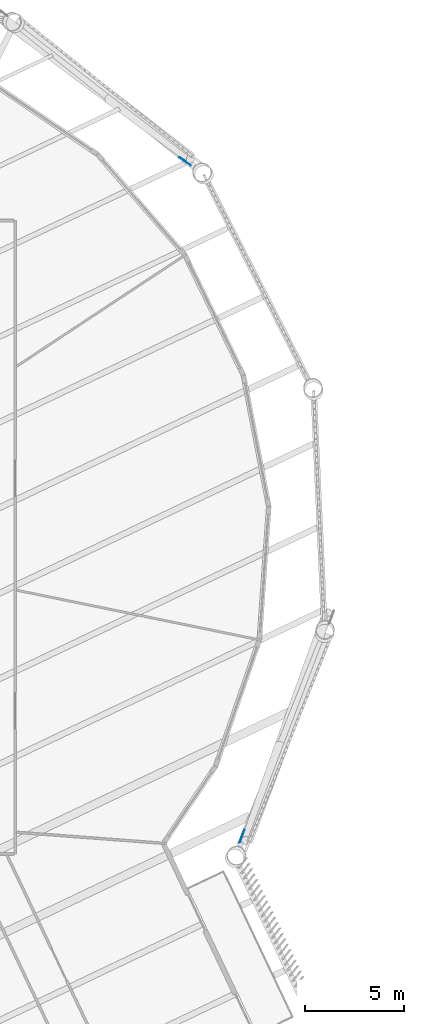
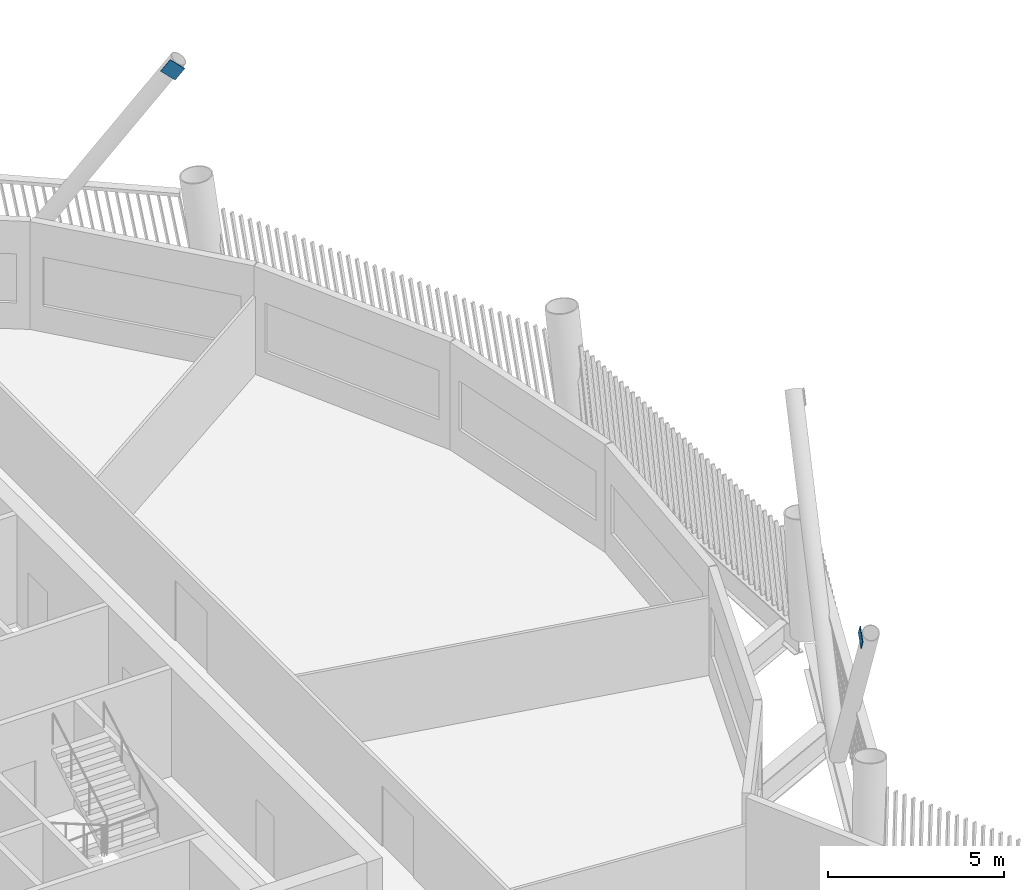
# One storey, part 12 of 21: 2 discrete accessories.
"""IFC4 building model written with IfcOpenShell, lengths in metres."""

from ifc_helpers import new_model, si_unit, direction, frame, origin, origin_2d, place, context, subcontext, project, spatial, rectangle, extrude, material, material_profile, profile_set, type_object, element, save


model = new_model("IFC4")

# Units and contexts
model_context = context("Model", 3, precision=1e-05, world=origin(), true_north=direction((0.0, 1.0)))
body_context = subcontext(model_context, "Body", "Model", "MODEL_VIEW")
ifc_project = project(units=[si_unit("LENGTHUNIT", "METRE"), si_unit("AREAUNIT", "SQUARE_METRE"), si_unit("VOLUMEUNIT", "CUBIC_METRE"), si_unit("PLANEANGLEUNIT", "RADIAN"), si_unit("MASSUNIT", "GRAM", prefix="KILO")], contexts=[model_context])

# Site, building, storey
site_placement = place(None, origin())
site = spatial("IfcSite", under=ifc_project, at=site_placement, CompositionType="ELEMENT")
building_placement = place(site_placement, origin())
building = spatial("IfcBuilding", under=site, at=building_placement, Name="Tarsis Ring Headquarters", CompositionType="ELEMENT")
storey_placement = place(building_placement, frame((0.0, 0.0, 331.39990234375)))
storey = spatial("IfcBuildingStorey", under=building, at=storey_placement, Name="L78", CompositionType="ELEMENT", Elevation=331.39990234375)

# Discrete accessories
ifc_material = material(Name="Structural steel S355", Category="steel")
ifc_material_profile = material_profile(ifc_material, rectangle(XDim=0.02490234375, YDim=0.5, at=origin_2d()), Name="PL 25x500")
ifc_profile_set = profile_set([ifc_material_profile], Name="Structural steel S355")
discrete_accessory_type = type_object("IfcDiscreteAccessoryType", Name="Gusset plate Exo brace 25", PredefinedType="BRACKET", material=ifc_profile_set)
discrete_accessory_1_placement = place(storey_placement, frame((24.423583984375, -15.239990234375, 7.800048828125), z_axis=(0.182103161921, 0.515552115251, -0.837283975052), x_axis=(-0.942907882649, 0.33305363658, 0.0)))
element("IfcDiscreteAccessory", 1, at=discrete_accessory_1_placement, inside=storey, type_object=discrete_accessory_type, Name="Gusset plate GP5", PredefinedType="BRACKET", context=body_context, shape_type="SweptSolid", body=[
    extrude(rectangle(XDim=0.02490234375, YDim=0.5, at=origin_2d()), origin(), (0.0, 0.0, 1.0), 0.5),
])
discrete_accessory_2_placement = place(storey_placement, frame((21.705810546875, 18.910888671875, 7.800048828125), z_axis=(-0.439821984949, 0.325107038819, -0.837175032395), x_axis=(-0.594416156009, -0.804157592438, 0.0)))
element("IfcDiscreteAccessory", 2, at=discrete_accessory_2_placement, inside=storey, type_object=discrete_accessory_type, Name="Gusset plate GP5", PredefinedType="BRACKET", context=body_context, shape_type="SweptSolid", body=[
    extrude(rectangle(XDim=0.02490234375, YDim=0.5, at=origin_2d()), origin(), (0.0, 0.0, 1.0), 0.500244140625),
])

save(model, "model.ifc")
